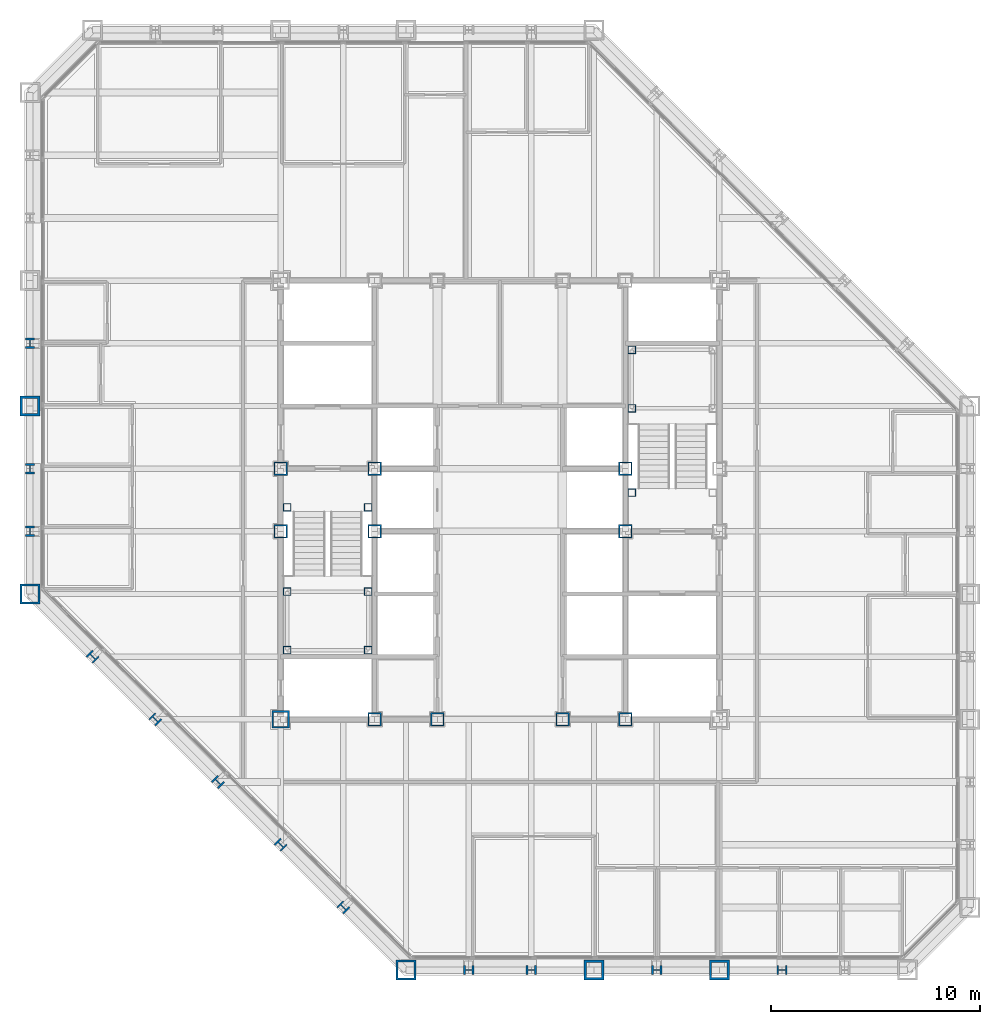
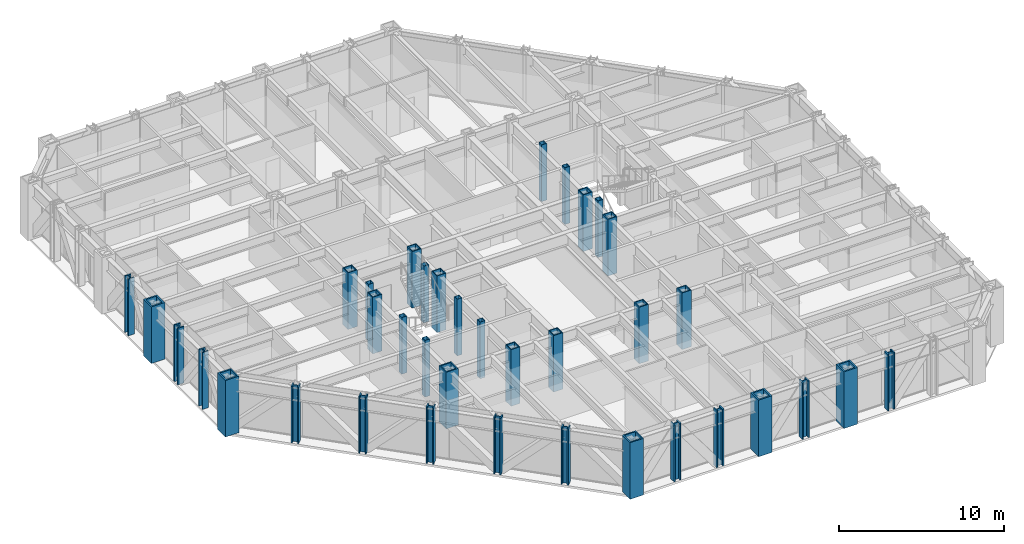
# One storey, part 1 of 16: 37 columns.
"""IFC4 building model written with IfcOpenShell, lengths in metres."""

import ifcopenshell
import ifcopenshell.guid

model = None  # the IFC model being written
_history = None  # IfcOwnerHistory: only IFC2X3 demands one
_inside = {}  # id of a spatial element -> (the spatial element, [elements in it])
_under = {}  # id of a project, library or spatial element -> (it, [spatial elements below it])
_declared = {}  # id of a project -> (the project, [libraries it declares])
_typed = {}  # id of a type object -> (the type object, [elements of that type])
_made_of = {}  # id of a material, layer set ... -> (it, [elements and type objects made of it])


def new_model(schema):
    """Start an empty IFC model of exactly this schema.

    Asked for "IFC4X3", IfcOpenShell would pick the latest addendum, in which some entities
    have other attributes; the version numbers below select the first issue.
    IFC2X3 requires an IfcOwnerHistory on every rooted entity: one is made here for all.
    """
    global model, _history
    if schema == "IFC4X3":
        model = ifcopenshell.file(schema_version=(4, 3, 0, 0))
    else:
        model = ifcopenshell.file(schema=schema)
    _inside.clear()
    _under.clear()
    _declared.clear()
    _typed.clear()
    _made_of.clear()
    _history = None
    if model.schema == "IFC2X3":
        org = make("IfcOrganization", Name="unknown")
        user = make(
            "IfcPersonAndOrganization",
            ThePerson=make("IfcPerson", FamilyName="unknown"),
            TheOrganization=org,
        )
        app = make(
            "IfcApplication",
            ApplicationDeveloper=org,
            Version="unknown",
            ApplicationFullName="unknown",
            ApplicationIdentifier="unknown",
        )
        _history = make(
            "IfcOwnerHistory",
            OwningUser=user,
            OwningApplication=app,
            ChangeAction="ADDED",
            CreationDate=0,
        )
    return model


def make(cls, **values):
    """One entity of the class cls with the attributes given. An attribute that is None is left unset."""
    return model.create_entity(
        cls, **{name: value for name, value in values.items() if value is not None}
    )


def rooted(cls, **values):
    """An entity with a GlobalId (a new one), such as an element, a storey or a relation."""
    return make(cls, GlobalId=ifcopenshell.guid.new(), OwnerHistory=_history, **values)


def si_unit(unit_type, name, prefix=None):
    """IfcSIUnit, for example si_unit("LENGTHUNIT", "METRE", prefix="MILLI")."""
    return make("IfcSIUnit", UnitType=unit_type, Prefix=prefix, Name=name)


def assignment(units):
    """IfcUnitAssignment: the units of a project."""
    return None if units is None else make("IfcUnitAssignment", Units=units)


def point(xyz):
    """IfcCartesianPoint."""
    return None if xyz is None else make("IfcCartesianPoint", Coordinates=xyz)


def direction(xyz):
    """IfcDirection."""
    return None if xyz is None else make("IfcDirection", DirectionRatios=xyz)


def frame(location, z_axis=None, x_axis=None):
    """IfcAxis2Placement3D, a coordinate frame: its origin and axes. An axis left out is left unset."""
    return make(
        "IfcAxis2Placement3D",
        Location=point(location),
        Axis=direction(z_axis),
        RefDirection=direction(x_axis),
    )


def frame_2d(location, x_axis=None):
    """IfcAxis2Placement2D, a coordinate frame in the plane: its origin and x axis."""
    return make(
        "IfcAxis2Placement2D", Location=point(location), RefDirection=direction(x_axis)
    )


def origin():
    """The frame at (0, 0, 0) with its axes left unset."""
    return frame((0.0, 0.0, 0.0))


def origin_2d():
    """The frame at (0, 0) in the plane with its x axis left unset."""
    return frame_2d((0.0, 0.0))


def place(relative_to, where):
    """IfcLocalPlacement: puts the frame where relative to a parent placement (None: the world)."""
    return make(
        "IfcLocalPlacement", PlacementRelTo=relative_to, RelativePlacement=where
    )


def context(
    kind, dimensions, precision=None, world=None, true_north=None, identifier=None
):
    """IfcGeometricRepresentationContext, for example the 3D "Model" context."""
    return make(
        "IfcGeometricRepresentationContext",
        ContextIdentifier=identifier,
        ContextType=kind,
        CoordinateSpaceDimension=dimensions,
        Precision=precision,
        WorldCoordinateSystem=world,
        TrueNorth=true_north,
    )


def subcontext(parent, identifier, kind, view, scale=None):
    """IfcGeometricRepresentationSubContext, for example "Body" below "Model"."""
    return make(
        "IfcGeometricRepresentationSubContext",
        ContextIdentifier=identifier,
        ContextType=kind,
        ParentContext=parent,
        TargetScale=scale,
        TargetView=view,
    )


def project(units=None, contexts=None):
    """IfcProject with its units and contexts."""
    return rooted(
        "IfcProject",
        Name="project",
        RepresentationContexts=contexts,
        UnitsInContext=assignment(units),
    )


def spatial(cls, under=None, at=None, **own):
    """A site, building, storey or space (cls), placed at a placement, below another one or the project."""
    s = rooted(cls, ObjectPlacement=at, **own)
    if under is not None:
        _under.setdefault(under.id(), (under, []))[1].append(s)
    return s


def profile(cls, at=None, kind="AREA", **sizes):
    """A parametric profile (cls). Its sizes go by their IFC names, for example OverallWidth=200.0."""
    return make(cls, ProfileType=kind, Position=at, **sizes)


def hollow_rectangle(**sizes):
    """IfcRectangleHollowProfileDef."""
    return profile("IfcRectangleHollowProfileDef", **sizes)


def i_section(**sizes):
    """IfcIShapeProfileDef."""
    return profile("IfcIShapeProfileDef", **sizes)


def extrude(swept, where, along, depth):
    """IfcExtrudedAreaSolid: the profile swept, set in the frame where, extruded along a direction by depth."""
    return make(
        "IfcExtrudedAreaSolid",
        SweptArea=swept,
        Position=where,
        ExtrudedDirection=direction(along),
        Depth=depth,
    )


def shape(context_of_items, identifier, shape_type, items):
    """IfcShapeRepresentation: the items that make up one representation, for example the "Body"."""
    return make(
        "IfcShapeRepresentation",
        ContextOfItems=context_of_items,
        RepresentationIdentifier=identifier,
        RepresentationType=shape_type,
        Items=items,
    )


def material(Name=None, Category=None):
    """IfcMaterial."""
    return make("IfcMaterial", Name=Name, Category=Category)


def material_profile(
    of_material, cross_section, Name=None, Category=None, Priority=None
):
    """IfcMaterialProfile: a cross section and its material."""
    return make(
        "IfcMaterialProfile",
        Name=Name,
        Material=of_material,
        Profile=cross_section,
        Priority=Priority,
        Category=Category,
    )


def profile_set(profiles, Name=None, composite=None):
    """IfcMaterialProfileSet."""
    return make(
        "IfcMaterialProfileSet",
        Name=Name,
        MaterialProfiles=profiles,
        CompositeProfile=composite,
    )


def made_of(thing, what):
    """Note that an element or type object is made of a material, layer set ...; save() writes the relation."""
    if what is not None:
        _made_of.setdefault(what.id(), (what, []))[1].append(thing)
    return thing


def type_object(cls, material=None, **own):
    """A type object (cls), such as IfcWallType, which elements share."""
    return made_of(rooted(cls, **own), material)


def element(
    cls,
    number,
    at=None,
    inside=None,
    cuts=None,
    type_object=None,
    material=None,
    context=None,
    identifier="Body",
    shape_type=None,
    held_by="IfcProductDefinitionShape",
    body=None,
    shapes=None,
    **own,
):
    """One element of the class cls, such as IfcWall. Its Tag is "e" and its number.

    at: its placement. inside: the storey or other place that contains it. cuts: it is an
    opening in that element (IfcRelVoidsElement). A single representation is given by context,
    identifier, shape_type and body (its items); several are given by shapes. held_by: the class
    of the entity that holds the representations. save() writes the other relations.
    """
    e = rooted(cls, Tag="e%d" % number, ObjectPlacement=at, **own)
    if body is not None:
        shapes = [shape(context, identifier, shape_type, body)]
    if shapes is not None:
        e.Representation = make(held_by, Representations=shapes)
    if inside is not None:
        _inside.setdefault(inside.id(), (inside, []))[1].append(e)
    if cuts is not None:
        rooted(
            "IfcRelVoidsElement", RelatingBuildingElement=cuts, RelatedOpeningElement=e
        )
    if type_object is not None:
        _typed.setdefault(type_object.id(), (type_object, []))[1].append(e)
    return made_of(e, material)


def aggregate(whole, parts):
    """IfcRelAggregates: a whole, such as a stair, and the parts it consists of."""
    return rooted("IfcRelAggregates", RelatingObject=whole, RelatedObjects=parts)


def save(model, path):
    """Write the relations noted so far, then the file.

    IfcRelAggregates (storeys below a building ...), IfcRelContainedInSpatialStructure (elements
    in a storey), IfcRelDefinesByType, IfcRelAssociatesMaterial and IfcRelDeclares: one each for
    every whole, place, type object, material and project.
    """
    for whole, parts in _under.values():
        aggregate(whole, parts)
    for where, things in _inside.values():
        rooted(
            "IfcRelContainedInSpatialStructure",
            RelatedElements=things,
            RelatingStructure=where,
        )
    for kind, things in _typed.values():
        rooted("IfcRelDefinesByType", RelatedObjects=things, RelatingType=kind)
    for what, things in _made_of.values():
        rooted("IfcRelAssociatesMaterial", RelatedObjects=things, RelatingMaterial=what)
    for by, libraries in _declared.values():
        rooted("IfcRelDeclares", RelatingContext=by, RelatedDefinitions=libraries)
    model.write(path)


model = new_model("IFC4")

# Units and contexts
model_context = context("Model", 3, precision=1e-05, world=origin(), true_north=direction((0.0, 1.0)))
body_context = subcontext(model_context, "Body", "Model", "MODEL_VIEW")
ifc_project = project(units=[si_unit("LENGTHUNIT", "METRE"), si_unit("AREAUNIT", "SQUARE_METRE"), si_unit("VOLUMEUNIT", "CUBIC_METRE"), si_unit("PLANEANGLEUNIT", "RADIAN"), si_unit("MASSUNIT", "GRAM", prefix="KILO")], contexts=[model_context])

# Site, building, storey
site_placement = place(None, origin())
site = spatial("IfcSite", under=ifc_project, at=site_placement, CompositionType="ELEMENT")
building_placement = place(site_placement, origin())
building = spatial("IfcBuilding", under=site, at=building_placement, Name="Chuquiago Exchange Tower", CompositionType="ELEMENT")
storey_placement = place(building_placement, frame((0.0, 0.0, 153.0)))
storey = spatial("IfcBuildingStorey", under=building, at=storey_placement, Name="L33", CompositionType="ELEMENT", Elevation=153.0)

# Columns
ifc_material_1 = material(Name="Steel ASTM A992", Category="steel")
ifc_material_profile_1 = material_profile(ifc_material_1, i_section(OverallWidth=0.431884765625, OverallDepth=0.497802734375, WebThickness=0.0556640625, FlangeThickness=0.0888671875, at=origin_2d()), Name="W14X500")
ifc_profile_set_1 = profile_set([ifc_material_profile_1], Name="Steel ASTM A992")
column_type_1 = type_object("IfcColumnType", Name="C7 W14X500", PredefinedType="COLUMN", material=ifc_profile_set_1)
for number, where, z_axis, x_axis, name in (
    (1, (21.0, 0.0, 0.0), (0.0, 0.0, 1.0), (0.0, -1.0, 0.0), "COL-L33-21_0"),
    (2, (24.0, 0.0, 0.0), (0.0, 0.0, 1.0), (0.0, -1.0, 0.0), "COL-L33-24_0"),
    (3, (30.0, 0.0, 0.0), (0.0, 0.0, 1.0), (0.0, -1.0, 0.0), "COL-L33-30_0"),
    (4, (36.0, 0.0, 0.0), (0.0, 0.0, 1.0), (0.0, -1.0, 0.0), "COL-L33-36_0"),
    (5, (0.0, 30.0, 0.0), (0.0, 0.0, 1.0), (-1.0, 0.0, 0.0), "COL-L33-0_30"),
    (6, (0.0, 24.0, 0.0), (0.0, 0.0, 1.0), (-1.0, 0.0, 0.0), "COL-L33-0_24"),
    (7, (0.0, 21.0, 0.0), (0.0, 0.0, 1.0), (-1.0, 0.0, 0.0), "COL-L33-0_21"),
):
    element("IfcColumn", number, at=place(storey_placement, frame(where, z_axis=z_axis, x_axis=x_axis)), inside=storey, type_object=column_type_1, Name=name, PredefinedType="COLUMN", context=body_context, shape_type="SweptSolid", body=[
        extrude(i_section(OverallWidth=0.431884765625, OverallDepth=0.497802734375, WebThickness=0.0556640625, FlangeThickness=0.0888671875, at=origin_2d()), origin(), (0.0, 0.0, 1.0), 4.199951171875),
    ])
ifc_material_2 = material(Name="Steel ASTM A572 Grade 50", Category="steel")
ifc_material_profile_2 = material_profile(ifc_material_2, hollow_rectangle(XDim=0.85009765625, YDim=0.85009765625, WallThickness=0.0849609375, at=origin_2d()), Name="BOX850X850X85")
ifc_profile_set_2 = profile_set([ifc_material_profile_2], Name="Steel ASTM A572 Grade 50")
column_type_2 = type_object("IfcColumnType", Name="CC6 BOX850X850X85", PredefinedType="COLUMN", material=ifc_profile_set_2)
column_placement = place(storey_placement, frame((12.0, 12.0, 0.0), z_axis=(0.0, 0.0, 1.0), x_axis=(1.0, 0.0, 0.0)))
element("IfcColumn", 8, at=column_placement, inside=storey, type_object=column_type_2, Name="CCOL-L33-12_12", PredefinedType="COLUMN", context=body_context, shape_type="SweptSolid", body=[
    extrude(hollow_rectangle(XDim=0.85009765625, YDim=0.85009765625, WallThickness=0.0849609375, at=origin_2d()), origin(), (0.0, 0.0, 1.0), 4.199951171875),
])
ifc_material_3 = material(Name="Steel ASTM A572 Grade 50", Category="steel")
ifc_material_profile_3 = material_profile(ifc_material_3, hollow_rectangle(XDim=0.64990234375, YDim=0.64990234375, WallThickness=0.06494140625, at=origin_2d()), Name="BOX650X650X65")
ifc_profile_set_3 = profile_set([ifc_material_profile_3], Name="Steel ASTM A572 Grade 50")
column_type_3 = type_object("IfcColumnType", Name="CC7 BOX650X650X65", PredefinedType="COLUMN", material=ifc_profile_set_3)
for number, where, z_axis, x_axis, name in (
    (9, (16.5, 12.0, 0.0), (0.0, 0.0, 1.0), (1.0, 0.0, 0.0), "CCOL-L33-16.5_12"),
    (10, (19.5, 12.0, 0.0), (0.0, 0.0, 1.0), (1.0, 0.0, 0.0), "CCOL-L33-19.5_12"),
    (11, (25.5, 12.0, 0.0), (0.0, 0.0, 1.0), (1.0, 0.0, 0.0), "CCOL-L33-25.5_12"),
    (12, (28.5, 12.0, 0.0), (0.0, 0.0, 1.0), (1.0, 0.0, 0.0), "CCOL-L33-28.5_12"),
    (13, (12.0, 21.0, 0.0), (0.0, 0.0, 1.0), (1.0, 0.0, 0.0), "CCOL-L33-12_21"),
    (14, (12.0, 24.0, 0.0), (0.0, 0.0, 1.0), (1.0, 0.0, 0.0), "CCOL-L33-12_24"),
    (15, (16.5, 21.0, 0.0), (0.0, 0.0, 1.0), (1.0, 0.0, 0.0), "CCOL-L33-16.5_21"),
    (16, (16.5, 24.0, 0.0), (0.0, 0.0, 1.0), (1.0, 0.0, 0.0), "CCOL-L33-16.5_24"),
    (17, (28.5, 21.0, 0.0), (0.0, 0.0, 1.0), (1.0, 0.0, 0.0), "CCOL-L33-28.5_21"),
    (18, (28.5, 24.0, 0.0), (0.0, 0.0, 1.0), (1.0, 0.0, 0.0), "CCOL-L33-28.5_24"),
):
    element("IfcColumn", number, at=place(storey_placement, frame(where, z_axis=z_axis, x_axis=x_axis)), inside=storey, type_object=column_type_3, Name=name, PredefinedType="COLUMN", context=body_context, shape_type="SweptSolid", body=[
        extrude(hollow_rectangle(XDim=0.64990234375, YDim=0.64990234375, WallThickness=0.06494140625, at=origin_2d()), origin(), (0.0, 0.0, 1.0), 4.199951171875),
    ])
ifc_material_4 = material(Name="Steel ASTM A992", Category="steel")
ifc_material_profile_4 = material_profile(ifc_material_4, i_section(OverallWidth=0.4267578125, OverallDepth=0.482666015625, WebThickness=0.05126953125, FlangeThickness=0.08154296875, at=origin_2d()), Name="W14X455")
ifc_profile_set_4 = profile_set([ifc_material_profile_4], Name="Steel ASTM A992")
column_type_4 = type_object("IfcColumnType", Name="CK6 W14X455", PredefinedType="COLUMN", material=ifc_profile_set_4)
for number, where, z_axis, x_axis, name in (
    (19, (3.0, 15.0, 0.0), (0.0, 0.0, 1.0), (-0.707106781187, -0.707106781187, 0.0), "COL-L33-3_15"),
    (20, (6.0, 12.0, 0.0), (0.0, 0.0, 1.0), (-0.707106781187, -0.707106781187, 0.0), "COL-L33-6_12"),
    (21, (9.0, 9.0, 0.0), (0.0, 0.0, 1.0), (-0.707106781187, -0.707106781187, 0.0), "COL-L33-9_9"),
    (22, (12.0, 6.0, 0.0), (0.0, 0.0, 1.0), (-0.707106781187, -0.707106781187, 0.0), "COL-L33-12_6"),
    (23, (15.0, 3.0, 0.0), (0.0, 0.0, 1.0), (-0.707106781187, -0.707106781187, 0.0), "COL-L33-15_3"),
):
    element("IfcColumn", number, at=place(storey_placement, frame(where, z_axis=z_axis, x_axis=x_axis)), inside=storey, type_object=column_type_4, Name=name, PredefinedType="COLUMN", context=body_context, shape_type="SweptSolid", body=[
        extrude(i_section(OverallWidth=0.4267578125, OverallDepth=0.482666015625, WebThickness=0.05126953125, FlangeThickness=0.08154296875, at=origin_2d()), origin(), (0.0, 0.0, 1.0), 4.199951171875),
    ])
ifc_material_5 = material(Name="Steel ASTM A572 Grade 50", Category="steel")
ifc_material_profile_5 = material_profile(ifc_material_5, hollow_rectangle(XDim=0.949951171875, YDim=0.949951171875, WallThickness=0.094970703125, at=origin_2d()), Name="BOX950X950X95")
ifc_profile_set_5 = profile_set([ifc_material_profile_5], Name="Steel ASTM A572 Grade 50")
column_type_5 = type_object("IfcColumnType", Name="CN1 BOX950X950X95", PredefinedType="COLUMN", material=ifc_profile_set_5)
for number, where, z_axis, x_axis, name in (
    (24, (18.0, 0.0, 0.0), (0.0, 0.0, 1.0), (0.0, -1.0, 0.0), "COL-L33-18_0"),
    (25, (0.0, 18.0, 0.0), (0.0, 0.0, 1.0), (-1.0, 0.0, 0.0), "COL-L33-0_18"),
):
    element("IfcColumn", number, at=place(storey_placement, frame(where, z_axis=z_axis, x_axis=x_axis)), inside=storey, type_object=column_type_5, Name=name, PredefinedType="COLUMN", context=body_context, shape_type="SweptSolid", body=[
        extrude(hollow_rectangle(XDim=0.949951171875, YDim=0.949951171875, WallThickness=0.094970703125, at=origin_2d()), origin(), (0.0, 0.0, 1.0), 4.199951171875),
    ])
ifc_material_6 = material(Name="Steel ASTM A572 Grade 42", Category="steel")
ifc_material_profile_6 = material_profile(ifc_material_6, hollow_rectangle(XDim=0.949951171875, YDim=0.949951171875, WallThickness=0.110107421875, at=origin_2d()), Name="BOX950X950X110")
ifc_profile_set_6 = profile_set([ifc_material_profile_6], Name="Steel ASTM A572 Grade 42")
column_type_6 = type_object("IfcColumnType", Name="CT1 BOX950X950X110", PredefinedType="COLUMN", material=ifc_profile_set_6)
for number, where, z_axis, x_axis, name in (
    (26, (27.0, 0.0, 0.0), (0.0, 0.0, 1.0), (0.0, -1.0, 0.0), "COL-L33-27_0"),
    (27, (33.0, 0.0, 0.0), (0.0, 0.0, 1.0), (0.0, -1.0, 0.0), "COL-L33-33_0"),
    (28, (0.0, 27.0, 0.0), (0.0, 0.0, 1.0), (-1.0, 0.0, 0.0), "COL-L33-0_27"),
):
    element("IfcColumn", number, at=place(storey_placement, frame(where, z_axis=z_axis, x_axis=x_axis)), inside=storey, type_object=column_type_6, Name=name, PredefinedType="COLUMN", context=body_context, shape_type="SweptSolid", body=[
        extrude(hollow_rectangle(XDim=0.949951171875, YDim=0.949951171875, WallThickness=0.110107421875, at=origin_2d()), origin(), (0.0, 0.0, 1.0), 4.199951171875),
    ])
ifc_material_7 = material(Name="Steel ASTM A500 Grade C", Category="steel")
ifc_material_profile_7 = material_profile(ifc_material_7, hollow_rectangle(XDim=0.355712890625, YDim=0.355712890625, WallThickness=0.0146484375, at=origin_2d()), Name="HSS14X14X5/8")
ifc_profile_set_7 = profile_set([ifc_material_profile_7], Name="Steel ASTM A500 Grade C")
column_type_7 = type_object("IfcColumnType", Name="PT2 HSS14X14X5/8", PredefinedType="COLUMN", material=ifc_profile_set_7)
for number, where, z_axis, x_axis, name in (
    (29, (12.31005859375, 15.31005859375, 0.0), (0.0, 0.0, 1.0), (1.0, 0.0, 0.0), "Stair ST1 L33 landing post"),
    (30, (16.18994140625, 15.31005859375, 0.0), (0.0, 0.0, 1.0), (1.0, 0.0, 0.0), "Stair ST1 L33 landing post"),
    (31, (12.31005859375, 18.110107421875, 0.0), (0.0, 0.0, 1.0), (1.0, 0.0, 0.0), "Stair ST1 L33 landing post"),
    (32, (16.18994140625, 18.110107421875, 0.0), (0.0, 0.0, 1.0), (1.0, 0.0, 0.0), "Stair ST1 L33 landing post"),
    (33, (12.31005859375, 22.14990234375, 0.0), (0.0, 0.0, 1.0), (1.0, 0.0, 0.0), "Stair ST1 L33 landing post"),
    (34, (16.18994140625, 22.14990234375, 0.0), (0.0, 0.0, 1.0), (1.0, 0.0, 0.0), "Stair ST1 L33 landing post"),
    (35, (28.81005859375, 29.68994140625, 0.0), (0.0, 0.0, 1.0), (1.0, 0.0, 0.0), "Stair ST2 L33 landing post"),
    (36, (28.81005859375, 26.889892578125, 0.0), (0.0, 0.0, 1.0), (1.0, 0.0, 0.0), "Stair ST2 L33 landing post"),
    (37, (28.81005859375, 22.85009765625, 0.0), (0.0, 0.0, 1.0), (1.0, 0.0, 0.0), "Stair ST2 L33 landing post"),
):
    element("IfcColumn", number, at=place(storey_placement, frame(where, z_axis=z_axis, x_axis=x_axis)), inside=storey, type_object=column_type_7, Name=name, PredefinedType="COLUMN", context=body_context, shape_type="SweptSolid", body=[
        extrude(hollow_rectangle(XDim=0.355712890625, YDim=0.355712890625, WallThickness=0.0146484375, at=origin_2d()), origin(), (0.0, 0.0, 1.0), 4.199951171875),
    ])

save(model, "model.ifc")
